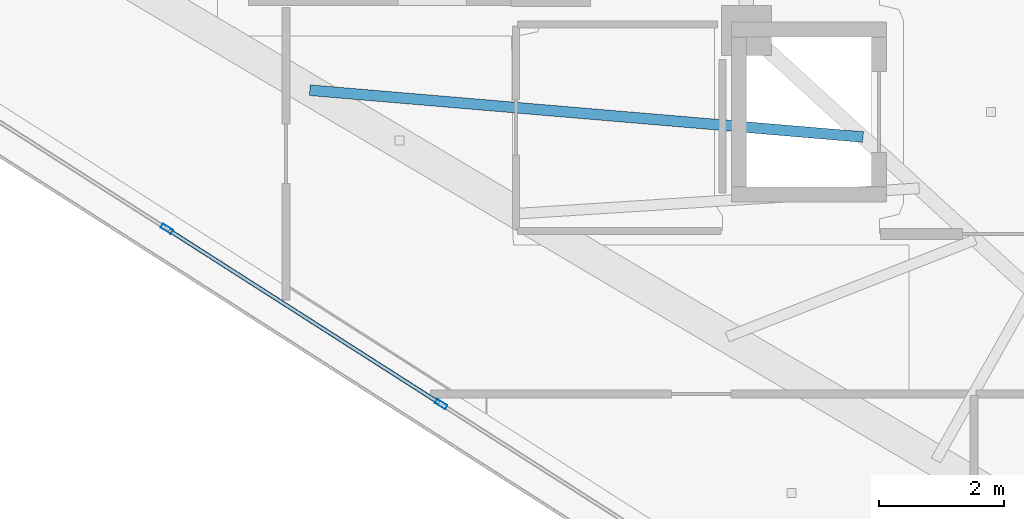
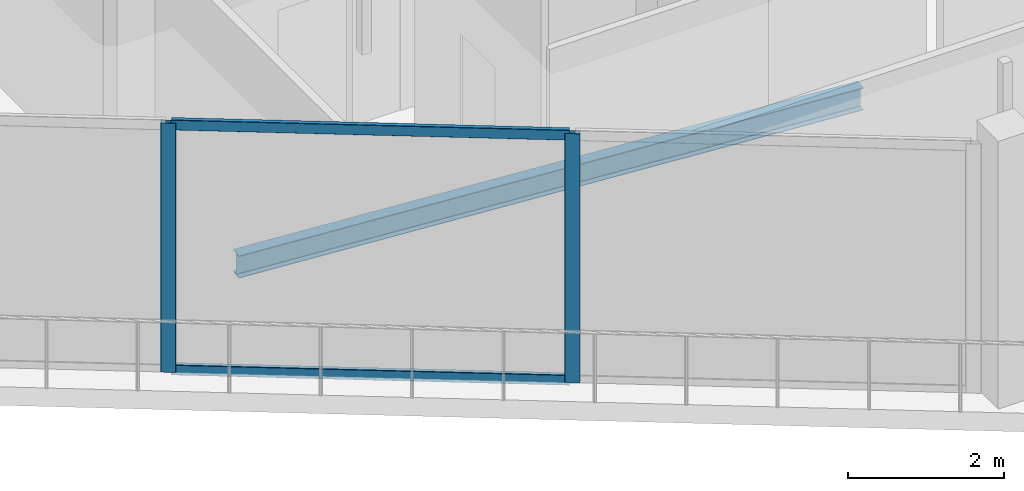
# One storey, part 2 of 23: 4 members, 1 beam, 1 element without a shape of its own.
"""IFC4 building model written with IfcOpenShell, lengths in metres."""

from ifc_helpers import new_model, si_unit, direction, frame, origin, origin_2d, place, context, subcontext, project, spatial, hollow_rectangle, i_section, extrude, material, layer, layer_set, material_profile, profile_set, type_object, element, aggregate, save


model = new_model("IFC4")

# Units and contexts
model_context = context("Model", 3, precision=1e-05, world=origin(), true_north=direction((0.0, 1.0)))
body_context = subcontext(model_context, "Body", "Model", "MODEL_VIEW")
ifc_project = project(units=[si_unit("LENGTHUNIT", "METRE"), si_unit("AREAUNIT", "SQUARE_METRE"), si_unit("VOLUMEUNIT", "CUBIC_METRE"), si_unit("PLANEANGLEUNIT", "RADIAN"), si_unit("MASSUNIT", "GRAM", prefix="KILO")], contexts=[model_context])

# Site, building, storey
site_placement = place(None, origin())
site = spatial("IfcSite", under=ifc_project, at=site_placement, CompositionType="ELEMENT")
building_placement = place(site_placement, origin())
building = spatial("IfcBuilding", under=site, at=building_placement, Name="Qorvath Tower", CompositionType="ELEMENT")
storey_placement = place(building_placement, frame((0.0, 0.0, 310.199951171875)))
storey = spatial("IfcBuildingStorey", under=building, at=storey_placement, Name="L72", CompositionType="ELEMENT", Elevation=310.199951171875)

# Beam
ifc_material_1 = material(Name="Steel ASTM A992 Grade 50", Category="steel")
ifc_material_profile_1 = material_profile(ifc_material_1, i_section(OverallWidth=0.1708984375, OverallDepth=0.35107421875, WebThickness=0.0068359375, FlangeThickness=0.009765625, FilletRadius=0.010009765625, at=origin_2d()), Name="W14x30")
ifc_profile_set_1 = profile_set([ifc_material_profile_1], Name="Steel ASTM A992 Grade 50")
beam_type = type_object("IfcBeamType", Name="BM-FJ4", PredefinedType="JOIST", material=ifc_profile_set_1)
beam_placement = place(storey_placement, frame((-28.636962890625, -6.85107421875, -0.465576171875), z_axis=(-0.996436150147, 0.084350451576, 0.0), x_axis=(-0.084350451576, -0.996436150147, 0.0)))
element("IfcBeam", 1, at=beam_placement, inside=storey, type_object=beam_type, Name="Composite Floor Joist SW2 L72", PredefinedType="JOIST", context=body_context, shape_type="SweptSolid", body=[
    extrude(i_section(OverallWidth=0.1708984375, OverallDepth=0.35107421875, WebThickness=0.0068359375, FlangeThickness=0.009765625, FilletRadius=0.010009765625, at=origin_2d()), origin(), (0.0, 0.0, 1.0), 8.87109375),
])

# Curtain wall, members
ifc_material_2 = material(Name="Anodised aluminium and triple low-E glass", Category="aluminium")
ifc_layer = layer(ifc_material_2, 0.179931640625)
ifc_layer_set = layer_set([ifc_layer], Name="CW-SYS-4")
curtain_wall_type = type_object("IfcCurtainWallType", Name="CW-SYS-4", PredefinedType="NOTDEFINED", material=ifc_layer_set)
curtain_wall_placement = place(storey_placement, origin())
curtain_wall = element("IfcCurtainWall", 2, at=curtain_wall_placement, inside=storey, type_object=curtain_wall_type, Name="Curtain Wall CW-4 CW-T-L72-2.1", PredefinedType="NOTDEFINED")
ifc_material_3 = material(Name="Anodised aluminium 6063-T6", Category="aluminium")
ifc_material_profile_2 = material_profile(ifc_material_3, hollow_rectangle(XDim=0.074951171875, YDim=0.199951171875, WallThickness=0.00390625, InnerFilletRadius=0.00390625, OuterFilletRadius=0.008056640625, at=origin_2d()), Name="CWM 200x75")
ifc_profile_set_2 = profile_set([ifc_material_profile_2], Name="Anodised aluminium 6063-T6")
member_type_1 = type_object("IfcMemberType", Name="CWM-200", PredefinedType="MULLION", material=ifc_profile_set_2)
member_1_placement = place(storey_placement, frame((-39.76025390625, -8.319091796875, 0.0), z_axis=(0.0, 0.0, 1.0), x_axis=(0.538538446751, 0.842600938387, 0.0)))
member_1 = element("IfcMember", 3, at=member_1_placement, type_object=member_type_1, Name="CW-4 mullion 3", PredefinedType="MULLION", context=body_context, shape_type="SweptSolid", body=[
    extrude(hollow_rectangle(XDim=0.074951171875, YDim=0.199951171875, WallThickness=0.00390625, InnerFilletRadius=0.00390625, OuterFilletRadius=0.008056640625, at=origin_2d()), origin(), (0.0, 0.0, 1.0), 3.91015625),
])
member_2_placement = place(storey_placement, frame((-35.37890625, -11.119384765625, 0.0), z_axis=(0.0, 0.0, 1.0), x_axis=(0.538538446751, 0.842600938387, 0.0)))
member_2 = element("IfcMember", 4, at=member_2_placement, type_object=member_type_1, Name="CW-4 mullion 4", PredefinedType="MULLION", context=body_context, shape_type="SweptSolid", body=[
    extrude(hollow_rectangle(XDim=0.074951171875, YDim=0.199951171875, WallThickness=0.00390625, InnerFilletRadius=0.00390625, OuterFilletRadius=0.008056640625, at=origin_2d()), origin(), (0.0, 0.0, 1.0), 3.91015625),
])
ifc_material_4 = material(Name="Anodised aluminium 6063-T6", Category="aluminium")
ifc_material_profile_3 = material_profile(ifc_material_4, hollow_rectangle(XDim=0.06494140625, YDim=0.159912109375, WallThickness=0.00341796875, InnerFilletRadius=0.00341796875, OuterFilletRadius=0.007080078125, at=origin_2d()), Name="CWT 160x65")
ifc_profile_set_3 = profile_set([ifc_material_profile_3], Name="Anodised aluminium 6063-T6")
member_type_2 = type_object("IfcMemberType", Name="CWT-160", PredefinedType="USERDEFINED", material=ifc_profile_set_3)
member_3_placement = place(storey_placement, frame((-39.728759765625, -8.33935546875, 0.032470703125), z_axis=(0.842602591489, -0.538535860288, 0.0), x_axis=(0.538535860288, 0.842602591489, 0.0)))
member_3 = element("IfcMember", 5, at=member_3_placement, type_object=member_type_2, Name="CW-4 transom 3.1", ObjectType="TRANSOM", PredefinedType="USERDEFINED", context=body_context, shape_type="SweptSolid", body=[
    extrude(hollow_rectangle(XDim=0.06494140625, YDim=0.159912109375, WallThickness=0.00341796875, InnerFilletRadius=0.00341796875, OuterFilletRadius=0.007080078125, at=origin_2d()), origin(), (0.0, 0.0, 1.0), 5.125),
])
member_4_placement = place(storey_placement, frame((-39.728759765625, -8.33935546875, 3.877685546875), z_axis=(0.842602591489, -0.538535860288, 0.0), x_axis=(0.538535860288, 0.842602591489, 0.0)))
member_4 = element("IfcMember", 6, at=member_4_placement, type_object=member_type_2, Name="CW-4 transom 3.2", ObjectType="TRANSOM", PredefinedType="USERDEFINED", context=body_context, shape_type="SweptSolid", body=[
    extrude(hollow_rectangle(XDim=0.06494140625, YDim=0.159912109375, WallThickness=0.00341796875, InnerFilletRadius=0.00341796875, OuterFilletRadius=0.007080078125, at=origin_2d()), origin(), (0.0, 0.0, 1.0), 5.125),
])
aggregate(curtain_wall, [member_1, member_2, member_3, member_4])

save(model, "model.ifc")
